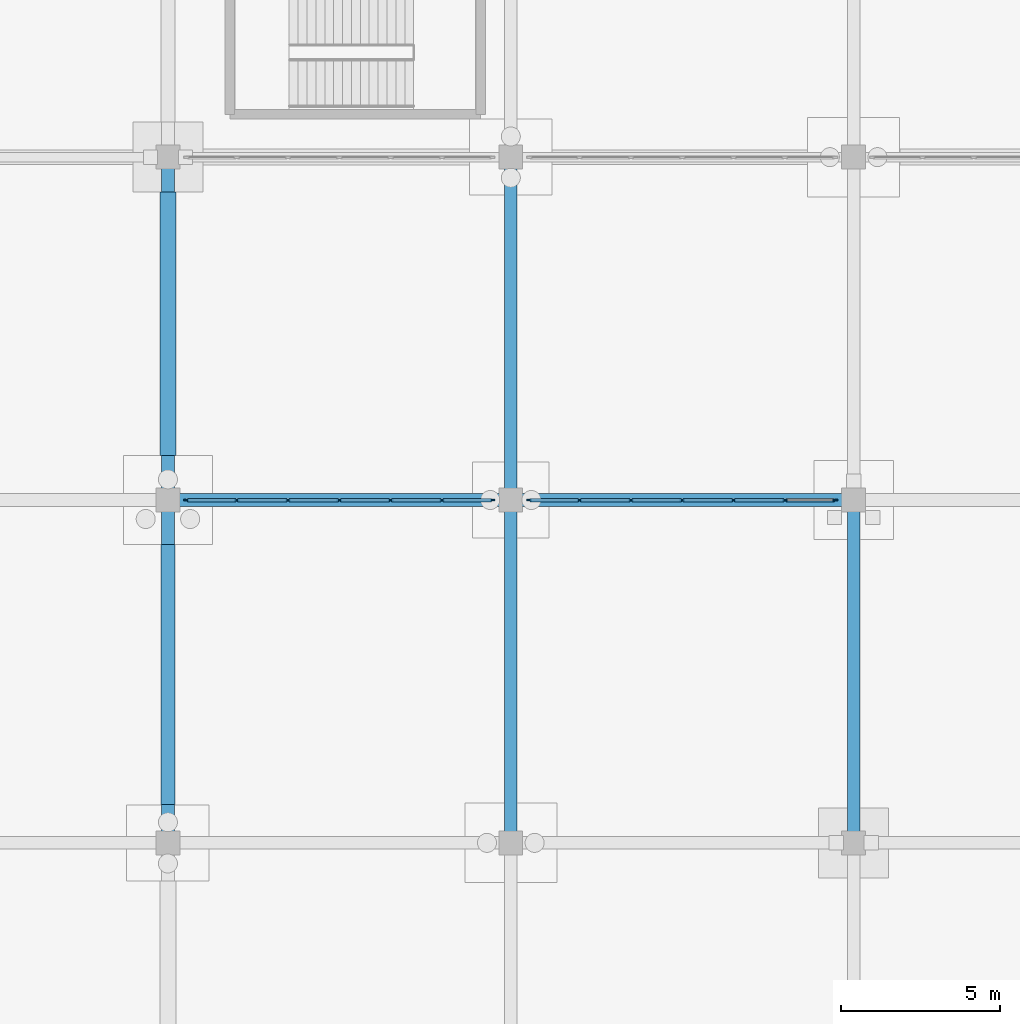
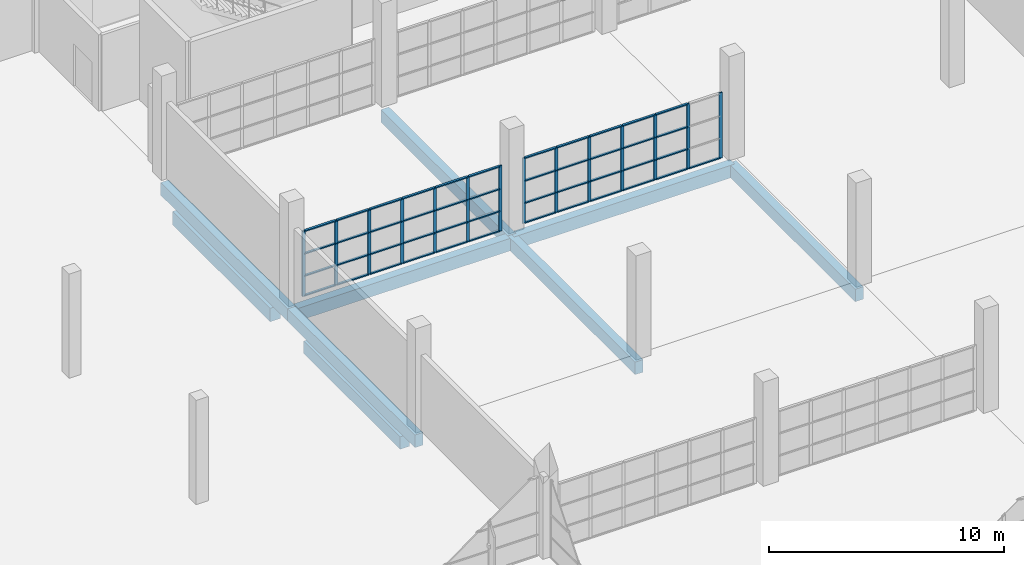
# One storey, part 51 of 138: 59 members, 9 beams, 2 elements without a shape of their own.
"""IFC4 building model written with IfcOpenShell, lengths in metres."""

from ifc_helpers import new_model, si_unit, direction, frame, origin, origin_2d, place, context, subcontext, project, spatial, rectangle, extrude, material, material_profile, profile_set, type_object, element, aggregate, save


model = new_model("IFC4")

# Units and contexts
model_context = context("Model", 3, precision=1e-05, world=origin(), true_north=direction((0.0, 1.0)))
body_context = subcontext(model_context, "Body", "Model", "MODEL_VIEW")
ifc_project = project(units=[si_unit("LENGTHUNIT", "METRE"), si_unit("AREAUNIT", "SQUARE_METRE"), si_unit("VOLUMEUNIT", "CUBIC_METRE"), si_unit("PLANEANGLEUNIT", "RADIAN"), si_unit("MASSUNIT", "GRAM", prefix="KILO")], contexts=[model_context])

# Site, building, storey
site_placement = place(None, origin())
site = spatial("IfcSite", under=ifc_project, at=site_placement, CompositionType="ELEMENT")
building_placement = place(site_placement, origin())
building = spatial("IfcBuilding", under=site, at=building_placement, Name="Zwinboog Wholesale Market", CompositionType="ELEMENT")
storey_placement = place(building_placement, origin())
storey = spatial("IfcBuildingStorey", under=building, at=storey_placement, Name="L00", CompositionType="ELEMENT", Elevation=0.0)

# Beams
ifc_material_1 = material(Name="Precast concrete C45/55", Category="concrete")
ifc_material_profile_1 = material_profile(ifc_material_1, rectangle(XDim=0.39990234375, YDim=0.64990234375, at=origin_2d()), Name="PC 400x650")
ifc_profile_set_1 = profile_set([ifc_material_profile_1], Name="Precast concrete C45/55")
beam_type_1 = type_object("IfcBeamType", Name="BT-05", PredefinedType="BEAM", material=ifc_profile_set_1)
beam_1_placement = place(storey_placement, frame((64.800048828125, 86.39990234375, -0.719970703125), z_axis=(1.0, 0.0, 0.0), x_axis=(0.0, 1.0, 0.0)))
element("IfcBeam", 1, at=beam_1_placement, inside=storey, type_object=beam_type_1, Name="BG-05 (BMG-L00-0648-0864-0121)", PredefinedType="BEAM", context=body_context, shape_type="SweptSolid", body=[
    extrude(rectangle(XDim=0.39990234375, YDim=0.64990234375, at=origin_2d()), origin(), (0.0, 0.0, 1.0), 10.800048828125),
])
for number, where, z_axis, x_axis, name in (
    (2, (75.60009765625, 86.39990234375, -0.719970703125), (1.0, 0.0, 0.0), (0.0, 1.0, 0.0), "BG-05 (BMG-L00-0756-0864-0122)"),
    (3, (64.800048828125, 75.60009765625, -0.719970703125), (0.0, 1.0, 0.0), (-1.0, 0.0, 0.0), "BG-05 (BMG-L00-0648-0756-0280)"),
):
    element("IfcBeam", number, at=place(storey_placement, frame(where, z_axis=z_axis, x_axis=x_axis)), inside=storey, type_object=beam_type_1, Name=name, PredefinedType="BEAM", context=body_context, shape_type="SweptSolid", body=[
        extrude(rectangle(XDim=0.39990234375, YDim=0.64990234375, at=origin_2d()), origin(), (0.0, 0.0, 1.0), 10.7998046875),
    ])
beam_2_placement = place(storey_placement, frame((64.800048828125, 86.39990234375, -0.719970703125), z_axis=(0.0, 1.0, 0.0), x_axis=(-1.0, 0.0, 0.0)))
element("IfcBeam", 4, at=beam_2_placement, inside=storey, type_object=beam_type_1, Name="BG-05 (BMG-L00-0648-0864-0281)", PredefinedType="BEAM", context=body_context, shape_type="SweptSolid", body=[
    extrude(rectangle(XDim=0.39990234375, YDim=0.64990234375, at=origin_2d()), origin(), (0.0, 0.0, 1.0), 10.800048828125),
])
beam_3_placement = place(storey_placement, frame((75.60009765625, 75.60009765625, -0.719970703125), z_axis=(0.0, 1.0, 0.0), x_axis=(-1.0, 0.0, 0.0)))
element("IfcBeam", 5, at=beam_3_placement, inside=storey, type_object=beam_type_1, Name="BG-05 (BMG-L00-0756-0756-0288)", PredefinedType="BEAM", context=body_context, shape_type="SweptSolid", body=[
    extrude(rectangle(XDim=0.39990234375, YDim=0.64990234375, at=origin_2d()), origin(), (0.0, 0.0, 1.0), 10.7998046875),
])
beam_4_placement = place(storey_placement, frame((75.60009765625, 86.39990234375, -0.719970703125), z_axis=(0.0, 1.0, 0.0), x_axis=(-1.0, 0.0, 0.0)))
element("IfcBeam", 6, at=beam_4_placement, inside=storey, type_object=beam_type_1, Name="BG-05 (BMG-L00-0756-0864-0289)", PredefinedType="BEAM", context=body_context, shape_type="SweptSolid", body=[
    extrude(rectangle(XDim=0.39990234375, YDim=0.64990234375, at=origin_2d()), origin(), (0.0, 0.0, 1.0), 10.800048828125),
])
beam_5_placement = place(storey_placement, frame((86.39990234375, 75.60009765625, -0.719970703125), z_axis=(0.0, 1.0, 0.0), x_axis=(-1.0, 0.0, 0.0)))
element("IfcBeam", 7, at=beam_5_placement, inside=storey, type_object=beam_type_1, Name="BG-05 (BMG-L00-0864-0756-0296)", PredefinedType="BEAM", context=body_context, shape_type="SweptSolid", body=[
    extrude(rectangle(XDim=0.39990234375, YDim=0.64990234375, at=origin_2d()), origin(), (0.0, 0.0, 1.0), 10.7998046875),
])
ifc_material_2 = material(Name="Concrete C35/45", Category="concrete")
ifc_material_profile_2 = material_profile(ifc_material_2, rectangle(XDim=0.5, YDim=0.699951171875, at=origin_2d()), Name="RC 500x700")
ifc_profile_set_2 = profile_set([ifc_material_profile_2], Name="Concrete C35/45")
beam_type_2 = type_object("IfcBeamType", Name="BT-12", PredefinedType="USERDEFINED", material=ifc_profile_set_2)
beam_6_placement = place(storey_placement, frame((64.800048828125, 87.804931640625, -1.550048828125), z_axis=(0.0, 1.0, 0.0), x_axis=(-1.0, 0.0, 0.0)))
element("IfcBeam", 8, at=beam_6_placement, inside=storey, type_object=beam_type_2, Name="GB-01 (BM-GB-0156)", ObjectType="GROUND_BEAM", PredefinedType="USERDEFINED", context=body_context, shape_type="SweptSolid", body=[
    extrude(rectangle(XDim=0.5, YDim=0.699951171875, at=origin_2d()), origin(), (0.0, 0.0, 1.0), 8.2900390625),
])
ifc_material_profile_3 = material_profile(ifc_material_2, rectangle(XDim=0.449951171875, YDim=0.64990234375, at=origin_2d()), Name="RC 450x650")
ifc_profile_set_3 = profile_set([ifc_material_profile_3], Name="Concrete C35/45")
beam_type_3 = type_object("IfcBeamType", Name="BT-13", PredefinedType="USERDEFINED", material=ifc_profile_set_3)
beam_7_placement = place(storey_placement, frame((64.800048828125, 76.804931640625, -1.52490234375), z_axis=(0.0, 1.0, 0.0), x_axis=(-1.0, 0.0, 0.0)))
element("IfcBeam", 9, at=beam_7_placement, inside=storey, type_object=beam_type_3, Name="GB-02 (BM-GB-0155)", ObjectType="GROUND_BEAM", PredefinedType="USERDEFINED", context=body_context, shape_type="SweptSolid", body=[
    extrude(rectangle(XDim=0.449951171875, YDim=0.64990234375, at=origin_2d()), origin(), (0.0, 0.0, 1.0), 8.190185546875),
])

# Curtain wall, members
ifc_material_3 = material(Name="Aluminium thermally broken curtain wall", Category="aluminium")
curtain_wall_type = type_object("IfcCurtainWallType", Name="CWT-INT-STALL", PredefinedType="USERDEFINED", material=ifc_material_3)
curtain_wall_1_placement = place(storey_placement, origin())
curtain_wall_1 = element("IfcCurtainWall", 10, at=curtain_wall_1_placement, inside=storey, type_object=curtain_wall_type, Name="CW-07 (CW-STL-195)", ObjectType="STOREFRONT_GLAZING", PredefinedType="USERDEFINED")
ifc_material_4 = material(Name="Aluminium EN AW-6060", Category="aluminium")
ifc_material_profile_4 = material_profile(ifc_material_4, rectangle(XDim=0.06005859375, YDim=0.14990234375, at=origin_2d()), Name="AL 60x150")
ifc_profile_set_4 = profile_set([ifc_material_profile_4], Name="Aluminium EN AW-6060")
member_type_1 = type_object("IfcMemberType", Name="CWM-INT-60x120", PredefinedType="MULLION", material=ifc_profile_set_4)
member_1_placement = place(storey_placement, frame((65.3798828125, 86.39990234375, 0.0), z_axis=(0.0, 0.0, 1.0), x_axis=(0.0, 1.0, 0.0)))
member_1 = element("IfcMember", 11, at=member_1_placement, type_object=member_type_1, Name="CW-07 mullion 1", PredefinedType="MULLION", context=body_context, shape_type="SweptSolid", body=[
    extrude(rectangle(XDim=0.06005859375, YDim=0.14990234375, at=origin_2d()), origin(), (0.0, 0.0, 1.0), 3.39990234375),
])
member_2_placement = place(storey_placement, frame((66.966552734375, 86.39990234375, 0.0), z_axis=(0.0, 0.0, 1.0), x_axis=(0.0, 1.0, 0.0)))
member_2 = element("IfcMember", 12, at=member_2_placement, type_object=member_type_1, Name="CW-07 mullion 2", PredefinedType="MULLION", context=body_context, shape_type="SweptSolid", body=[
    extrude(rectangle(XDim=0.06005859375, YDim=0.14990234375, at=origin_2d()), origin(), (0.0, 0.0, 1.0), 3.39990234375),
])
member_3_placement = place(storey_placement, frame((68.583251953125, 86.39990234375, 0.0), z_axis=(0.0, 0.0, 1.0), x_axis=(0.0, 1.0, 0.0)))
member_3 = element("IfcMember", 13, at=member_3_placement, type_object=member_type_1, Name="CW-07 mullion 3", PredefinedType="MULLION", context=body_context, shape_type="SweptSolid", body=[
    extrude(rectangle(XDim=0.06005859375, YDim=0.14990234375, at=origin_2d()), origin(), (0.0, 0.0, 1.0), 3.39990234375),
])
member_4_placement = place(storey_placement, frame((70.199951171875, 86.39990234375, 0.0), z_axis=(0.0, 0.0, 1.0), x_axis=(0.0, 1.0, 0.0)))
member_4 = element("IfcMember", 14, at=member_4_placement, type_object=member_type_1, Name="CW-07 mullion 4", PredefinedType="MULLION", context=body_context, shape_type="SweptSolid", body=[
    extrude(rectangle(XDim=0.06005859375, YDim=0.14990234375, at=origin_2d()), origin(), (0.0, 0.0, 1.0), 3.39990234375),
])
member_5_placement = place(storey_placement, frame((71.816650390625, 86.39990234375, 0.0), z_axis=(0.0, 0.0, 1.0), x_axis=(0.0, 1.0, 0.0)))
member_5 = element("IfcMember", 15, at=member_5_placement, type_object=member_type_1, Name="CW-07 mullion 5", PredefinedType="MULLION", context=body_context, shape_type="SweptSolid", body=[
    extrude(rectangle(XDim=0.06005859375, YDim=0.14990234375, at=origin_2d()), origin(), (0.0, 0.0, 1.0), 3.39990234375),
])
member_6_placement = place(storey_placement, frame((73.433349609375, 86.39990234375, 0.0), z_axis=(0.0, 0.0, 1.0), x_axis=(0.0, 1.0, 0.0)))
member_6 = element("IfcMember", 16, at=member_6_placement, type_object=member_type_1, Name="CW-07 mullion 6", PredefinedType="MULLION", context=body_context, shape_type="SweptSolid", body=[
    extrude(rectangle(XDim=0.06005859375, YDim=0.14990234375, at=origin_2d()), origin(), (0.0, 0.0, 1.0), 3.39990234375),
])
member_7_placement = place(storey_placement, frame((75.02001953125, 86.39990234375, 0.0), z_axis=(0.0, 0.0, 1.0), x_axis=(0.0, 1.0, 0.0)))
member_7 = element("IfcMember", 17, at=member_7_placement, type_object=member_type_1, Name="CW-07 mullion 7", PredefinedType="MULLION", context=body_context, shape_type="SweptSolid", body=[
    extrude(rectangle(XDim=0.06005859375, YDim=0.14990234375, at=origin_2d()), origin(), (0.0, 0.0, 1.0), 3.39990234375),
])

curtain_wall_2_placement = place(storey_placement, origin())
curtain_wall_2 = element("IfcCurtainWall", 18, at=curtain_wall_2_placement, inside=storey, type_object=curtain_wall_type, Name="CW-07 (CW-STL-196)", ObjectType="STOREFRONT_GLAZING", PredefinedType="USERDEFINED")
member_8_placement = place(storey_placement, frame((76.179931640625, 86.39990234375, 0.0), z_axis=(0.0, 0.0, 1.0), x_axis=(0.0, 1.0, 0.0)))
member_8 = element("IfcMember", 19, at=member_8_placement, type_object=member_type_1, Name="CW-07 mullion 1", PredefinedType="MULLION", context=body_context, shape_type="SweptSolid", body=[
    extrude(rectangle(XDim=0.06005859375, YDim=0.14990234375, at=origin_2d()), origin(), (0.0, 0.0, 1.0), 3.39990234375),
])
member_9_placement = place(storey_placement, frame((77.7666015625, 86.39990234375, 0.0), z_axis=(0.0, 0.0, 1.0), x_axis=(0.0, 1.0, 0.0)))
member_9 = element("IfcMember", 20, at=member_9_placement, type_object=member_type_1, Name="CW-07 mullion 2", PredefinedType="MULLION", context=body_context, shape_type="SweptSolid", body=[
    extrude(rectangle(XDim=0.06005859375, YDim=0.14990234375, at=origin_2d()), origin(), (0.0, 0.0, 1.0), 3.39990234375),
])
member_10_placement = place(storey_placement, frame((79.38330078125, 86.39990234375, 0.0), z_axis=(0.0, 0.0, 1.0), x_axis=(0.0, 1.0, 0.0)))
member_10 = element("IfcMember", 21, at=member_10_placement, type_object=member_type_1, Name="CW-07 mullion 3", PredefinedType="MULLION", context=body_context, shape_type="SweptSolid", body=[
    extrude(rectangle(XDim=0.06005859375, YDim=0.14990234375, at=origin_2d()), origin(), (0.0, 0.0, 1.0), 3.39990234375),
])
member_11_placement = place(storey_placement, frame((81.0, 86.39990234375, 0.0), z_axis=(0.0, 0.0, 1.0), x_axis=(0.0, 1.0, 0.0)))
member_11 = element("IfcMember", 22, at=member_11_placement, type_object=member_type_1, Name="CW-07 mullion 4", PredefinedType="MULLION", context=body_context, shape_type="SweptSolid", body=[
    extrude(rectangle(XDim=0.06005859375, YDim=0.14990234375, at=origin_2d()), origin(), (0.0, 0.0, 1.0), 3.39990234375),
])
member_12_placement = place(storey_placement, frame((82.61669921875, 86.39990234375, 0.0), z_axis=(0.0, 0.0, 1.0), x_axis=(0.0, 1.0, 0.0)))
member_12 = element("IfcMember", 23, at=member_12_placement, type_object=member_type_1, Name="CW-07 mullion 5", PredefinedType="MULLION", context=body_context, shape_type="SweptSolid", body=[
    extrude(rectangle(XDim=0.06005859375, YDim=0.14990234375, at=origin_2d()), origin(), (0.0, 0.0, 1.0), 3.39990234375),
])
member_13_placement = place(storey_placement, frame((84.2333984375, 86.39990234375, 0.0), z_axis=(0.0, 0.0, 1.0), x_axis=(0.0, 1.0, 0.0)))
member_13 = element("IfcMember", 24, at=member_13_placement, type_object=member_type_1, Name="CW-07 mullion 6", PredefinedType="MULLION", context=body_context, shape_type="SweptSolid", body=[
    extrude(rectangle(XDim=0.06005859375, YDim=0.14990234375, at=origin_2d()), origin(), (0.0, 0.0, 1.0), 3.39990234375),
])
member_14_placement = place(storey_placement, frame((85.820068359375, 86.39990234375, 0.0), z_axis=(0.0, 0.0, 1.0), x_axis=(0.0, 1.0, 0.0)))
member_14 = element("IfcMember", 25, at=member_14_placement, type_object=member_type_1, Name="CW-07 mullion 7", PredefinedType="MULLION", context=body_context, shape_type="SweptSolid", body=[
    extrude(rectangle(XDim=0.06005859375, YDim=0.14990234375, at=origin_2d()), origin(), (0.0, 0.0, 1.0), 3.39990234375),
])

# Member
ifc_material_profile_5 = material_profile(ifc_material_4, rectangle(XDim=0.110107421875, YDim=0.06005859375, at=origin_2d()), Name="AL 60x110")
ifc_profile_set_5 = profile_set([ifc_material_profile_5], Name="Aluminium EN AW-6060")
member_type_2 = type_object("IfcMemberType", Name="CWT-INT-60x100", PredefinedType="USERDEFINED", material=ifc_profile_set_5)
member_15_placement = place(storey_placement, frame((65.409912109375, 86.39990234375, 0.030029296875), z_axis=(1.0, 0.0, 0.0), x_axis=(0.0, 1.0, 0.0)))
member_15 = element("IfcMember", 26, at=member_15_placement, type_object=member_type_2, Name="CW-07 transom 1.1", ObjectType="TRANSOM", PredefinedType="USERDEFINED", context=body_context, shape_type="SweptSolid", body=[
    extrude(rectangle(XDim=0.110107421875, YDim=0.06005859375, at=origin_2d()), origin(), (0.0, 0.0, 1.0), 1.52685546875),
])

member_16_placement = place(storey_placement, frame((65.409912109375, 86.39990234375, 1.050048828125), z_axis=(1.0, 0.0, 0.0), x_axis=(0.0, 1.0, 0.0)))
member_16 = element("IfcMember", 27, at=member_16_placement, type_object=member_type_2, Name="CW-07 transom 1.2", ObjectType="TRANSOM", PredefinedType="USERDEFINED", context=body_context, shape_type="SweptSolid", body=[
    extrude(rectangle(XDim=0.110107421875, YDim=0.06005859375, at=origin_2d()), origin(), (0.0, 0.0, 1.0), 1.52685546875),
])

member_17_placement = place(storey_placement, frame((65.409912109375, 86.39990234375, 2.199951171875), z_axis=(1.0, 0.0, 0.0), x_axis=(0.0, 1.0, 0.0)))
member_17 = element("IfcMember", 28, at=member_17_placement, type_object=member_type_2, Name="CW-07 transom 1.3", ObjectType="TRANSOM", PredefinedType="USERDEFINED", context=body_context, shape_type="SweptSolid", body=[
    extrude(rectangle(XDim=0.110107421875, YDim=0.06005859375, at=origin_2d()), origin(), (0.0, 0.0, 1.0), 1.52685546875),
])

member_18_placement = place(storey_placement, frame((65.409912109375, 86.39990234375, 3.3701171875), z_axis=(1.0, 0.0, 0.0), x_axis=(0.0, 1.0, 0.0)))
member_18 = element("IfcMember", 29, at=member_18_placement, type_object=member_type_2, Name="CW-07 transom 1.4", ObjectType="TRANSOM", PredefinedType="USERDEFINED", context=body_context, shape_type="SweptSolid", body=[
    extrude(rectangle(XDim=0.110107421875, YDim=0.06005859375, at=origin_2d()), origin(), (0.0, 0.0, 1.0), 1.52685546875),
])

member_19_placement = place(storey_placement, frame((66.99658203125, 86.39990234375, 0.030029296875), z_axis=(1.0, 0.0, 0.0), x_axis=(0.0, 1.0, 0.0)))
member_19 = element("IfcMember", 30, at=member_19_placement, type_object=member_type_2, Name="CW-07 transom 2.1", ObjectType="TRANSOM", PredefinedType="USERDEFINED", context=body_context, shape_type="SweptSolid", body=[
    extrude(rectangle(XDim=0.110107421875, YDim=0.06005859375, at=origin_2d()), origin(), (0.0, 0.0, 1.0), 1.556640625),
])

member_20_placement = place(storey_placement, frame((66.99658203125, 86.39990234375, 1.050048828125), z_axis=(1.0, 0.0, 0.0), x_axis=(0.0, 1.0, 0.0)))
member_20 = element("IfcMember", 31, at=member_20_placement, type_object=member_type_2, Name="CW-07 transom 2.2", ObjectType="TRANSOM", PredefinedType="USERDEFINED", context=body_context, shape_type="SweptSolid", body=[
    extrude(rectangle(XDim=0.110107421875, YDim=0.06005859375, at=origin_2d()), origin(), (0.0, 0.0, 1.0), 1.556640625),
])

member_21_placement = place(storey_placement, frame((66.99658203125, 86.39990234375, 2.199951171875), z_axis=(1.0, 0.0, 0.0), x_axis=(0.0, 1.0, 0.0)))
member_21 = element("IfcMember", 32, at=member_21_placement, type_object=member_type_2, Name="CW-07 transom 2.3", ObjectType="TRANSOM", PredefinedType="USERDEFINED", context=body_context, shape_type="SweptSolid", body=[
    extrude(rectangle(XDim=0.110107421875, YDim=0.06005859375, at=origin_2d()), origin(), (0.0, 0.0, 1.0), 1.556640625),
])

member_22_placement = place(storey_placement, frame((66.99658203125, 86.39990234375, 3.3701171875), z_axis=(1.0, 0.0, 0.0), x_axis=(0.0, 1.0, 0.0)))
member_22 = element("IfcMember", 33, at=member_22_placement, type_object=member_type_2, Name="CW-07 transom 2.4", ObjectType="TRANSOM", PredefinedType="USERDEFINED", context=body_context, shape_type="SweptSolid", body=[
    extrude(rectangle(XDim=0.110107421875, YDim=0.06005859375, at=origin_2d()), origin(), (0.0, 0.0, 1.0), 1.556640625),
])

member_23_placement = place(storey_placement, frame((68.61328125, 86.39990234375, 0.030029296875), z_axis=(1.0, 0.0, 0.0), x_axis=(0.0, 1.0, 0.0)))
member_23 = element("IfcMember", 34, at=member_23_placement, type_object=member_type_2, Name="CW-07 transom 3.1", ObjectType="TRANSOM", PredefinedType="USERDEFINED", context=body_context, shape_type="SweptSolid", body=[
    extrude(rectangle(XDim=0.110107421875, YDim=0.06005859375, at=origin_2d()), origin(), (0.0, 0.0, 1.0), 1.556640625),
])

member_24_placement = place(storey_placement, frame((68.61328125, 86.39990234375, 1.050048828125), z_axis=(1.0, 0.0, 0.0), x_axis=(0.0, 1.0, 0.0)))
member_24 = element("IfcMember", 35, at=member_24_placement, type_object=member_type_2, Name="CW-07 transom 3.2", ObjectType="TRANSOM", PredefinedType="USERDEFINED", context=body_context, shape_type="SweptSolid", body=[
    extrude(rectangle(XDim=0.110107421875, YDim=0.06005859375, at=origin_2d()), origin(), (0.0, 0.0, 1.0), 1.556640625),
])

member_25_placement = place(storey_placement, frame((68.61328125, 86.39990234375, 2.199951171875), z_axis=(1.0, 0.0, 0.0), x_axis=(0.0, 1.0, 0.0)))
member_25 = element("IfcMember", 36, at=member_25_placement, type_object=member_type_2, Name="CW-07 transom 3.3", ObjectType="TRANSOM", PredefinedType="USERDEFINED", context=body_context, shape_type="SweptSolid", body=[
    extrude(rectangle(XDim=0.110107421875, YDim=0.06005859375, at=origin_2d()), origin(), (0.0, 0.0, 1.0), 1.556640625),
])

member_26_placement = place(storey_placement, frame((68.61328125, 86.39990234375, 3.3701171875), z_axis=(1.0, 0.0, 0.0), x_axis=(0.0, 1.0, 0.0)))
member_26 = element("IfcMember", 37, at=member_26_placement, type_object=member_type_2, Name="CW-07 transom 3.4", ObjectType="TRANSOM", PredefinedType="USERDEFINED", context=body_context, shape_type="SweptSolid", body=[
    extrude(rectangle(XDim=0.110107421875, YDim=0.06005859375, at=origin_2d()), origin(), (0.0, 0.0, 1.0), 1.556640625),
])

member_27_placement = place(storey_placement, frame((70.22998046875, 86.39990234375, 0.030029296875), z_axis=(1.0, 0.0, 0.0), x_axis=(0.0, 1.0, 0.0)))
member_27 = element("IfcMember", 38, at=member_27_placement, type_object=member_type_2, Name="CW-07 transom 4.1", ObjectType="TRANSOM", PredefinedType="USERDEFINED", context=body_context, shape_type="SweptSolid", body=[
    extrude(rectangle(XDim=0.110107421875, YDim=0.06005859375, at=origin_2d()), origin(), (0.0, 0.0, 1.0), 1.556640625),
])

member_28_placement = place(storey_placement, frame((70.22998046875, 86.39990234375, 1.050048828125), z_axis=(1.0, 0.0, 0.0), x_axis=(0.0, 1.0, 0.0)))
member_28 = element("IfcMember", 39, at=member_28_placement, type_object=member_type_2, Name="CW-07 transom 4.2", ObjectType="TRANSOM", PredefinedType="USERDEFINED", context=body_context, shape_type="SweptSolid", body=[
    extrude(rectangle(XDim=0.110107421875, YDim=0.06005859375, at=origin_2d()), origin(), (0.0, 0.0, 1.0), 1.556640625),
])

member_29_placement = place(storey_placement, frame((70.22998046875, 86.39990234375, 2.199951171875), z_axis=(1.0, 0.0, 0.0), x_axis=(0.0, 1.0, 0.0)))
member_29 = element("IfcMember", 40, at=member_29_placement, type_object=member_type_2, Name="CW-07 transom 4.3", ObjectType="TRANSOM", PredefinedType="USERDEFINED", context=body_context, shape_type="SweptSolid", body=[
    extrude(rectangle(XDim=0.110107421875, YDim=0.06005859375, at=origin_2d()), origin(), (0.0, 0.0, 1.0), 1.556640625),
])

member_30_placement = place(storey_placement, frame((70.22998046875, 86.39990234375, 3.3701171875), z_axis=(1.0, 0.0, 0.0), x_axis=(0.0, 1.0, 0.0)))
member_30 = element("IfcMember", 41, at=member_30_placement, type_object=member_type_2, Name="CW-07 transom 4.4", ObjectType="TRANSOM", PredefinedType="USERDEFINED", context=body_context, shape_type="SweptSolid", body=[
    extrude(rectangle(XDim=0.110107421875, YDim=0.06005859375, at=origin_2d()), origin(), (0.0, 0.0, 1.0), 1.556640625),
])

member_31_placement = place(storey_placement, frame((71.8466796875, 86.39990234375, 0.030029296875), z_axis=(1.0, 0.0, 0.0), x_axis=(0.0, 1.0, 0.0)))
member_31 = element("IfcMember", 42, at=member_31_placement, type_object=member_type_2, Name="CW-07 transom 5.1", ObjectType="TRANSOM", PredefinedType="USERDEFINED", context=body_context, shape_type="SweptSolid", body=[
    extrude(rectangle(XDim=0.110107421875, YDim=0.06005859375, at=origin_2d()), origin(), (0.0, 0.0, 1.0), 1.556640625),
])

member_32_placement = place(storey_placement, frame((71.8466796875, 86.39990234375, 1.050048828125), z_axis=(1.0, 0.0, 0.0), x_axis=(0.0, 1.0, 0.0)))
member_32 = element("IfcMember", 43, at=member_32_placement, type_object=member_type_2, Name="CW-07 transom 5.2", ObjectType="TRANSOM", PredefinedType="USERDEFINED", context=body_context, shape_type="SweptSolid", body=[
    extrude(rectangle(XDim=0.110107421875, YDim=0.06005859375, at=origin_2d()), origin(), (0.0, 0.0, 1.0), 1.556640625),
])

member_33_placement = place(storey_placement, frame((71.8466796875, 86.39990234375, 2.199951171875), z_axis=(1.0, 0.0, 0.0), x_axis=(0.0, 1.0, 0.0)))
member_33 = element("IfcMember", 44, at=member_33_placement, type_object=member_type_2, Name="CW-07 transom 5.3", ObjectType="TRANSOM", PredefinedType="USERDEFINED", context=body_context, shape_type="SweptSolid", body=[
    extrude(rectangle(XDim=0.110107421875, YDim=0.06005859375, at=origin_2d()), origin(), (0.0, 0.0, 1.0), 1.556640625),
])

member_34_placement = place(storey_placement, frame((71.8466796875, 86.39990234375, 3.3701171875), z_axis=(1.0, 0.0, 0.0), x_axis=(0.0, 1.0, 0.0)))
member_34 = element("IfcMember", 45, at=member_34_placement, type_object=member_type_2, Name="CW-07 transom 5.4", ObjectType="TRANSOM", PredefinedType="USERDEFINED", context=body_context, shape_type="SweptSolid", body=[
    extrude(rectangle(XDim=0.110107421875, YDim=0.06005859375, at=origin_2d()), origin(), (0.0, 0.0, 1.0), 1.556640625),
])

member_35_placement = place(storey_placement, frame((73.46337890625, 86.39990234375, 0.030029296875), z_axis=(1.0, 0.0, 0.0), x_axis=(0.0, 1.0, 0.0)))
member_35 = element("IfcMember", 46, at=member_35_placement, type_object=member_type_2, Name="CW-07 transom 6.1", ObjectType="TRANSOM", PredefinedType="USERDEFINED", context=body_context, shape_type="SweptSolid", body=[
    extrude(rectangle(XDim=0.110107421875, YDim=0.06005859375, at=origin_2d()), origin(), (0.0, 0.0, 1.0), 1.526611328125),
])

member_36_placement = place(storey_placement, frame((73.46337890625, 86.39990234375, 1.050048828125), z_axis=(1.0, 0.0, 0.0), x_axis=(0.0, 1.0, 0.0)))
member_36 = element("IfcMember", 47, at=member_36_placement, type_object=member_type_2, Name="CW-07 transom 6.2", ObjectType="TRANSOM", PredefinedType="USERDEFINED", context=body_context, shape_type="SweptSolid", body=[
    extrude(rectangle(XDim=0.110107421875, YDim=0.06005859375, at=origin_2d()), origin(), (0.0, 0.0, 1.0), 1.526611328125),
])

member_37_placement = place(storey_placement, frame((73.46337890625, 86.39990234375, 2.199951171875), z_axis=(1.0, 0.0, 0.0), x_axis=(0.0, 1.0, 0.0)))
member_37 = element("IfcMember", 48, at=member_37_placement, type_object=member_type_2, Name="CW-07 transom 6.3", ObjectType="TRANSOM", PredefinedType="USERDEFINED", context=body_context, shape_type="SweptSolid", body=[
    extrude(rectangle(XDim=0.110107421875, YDim=0.06005859375, at=origin_2d()), origin(), (0.0, 0.0, 1.0), 1.526611328125),
])

member_38_placement = place(storey_placement, frame((73.46337890625, 86.39990234375, 3.3701171875), z_axis=(1.0, 0.0, 0.0), x_axis=(0.0, 1.0, 0.0)))
member_38 = element("IfcMember", 49, at=member_38_placement, type_object=member_type_2, Name="CW-07 transom 6.4", ObjectType="TRANSOM", PredefinedType="USERDEFINED", context=body_context, shape_type="SweptSolid", body=[
    extrude(rectangle(XDim=0.110107421875, YDim=0.06005859375, at=origin_2d()), origin(), (0.0, 0.0, 1.0), 1.526611328125),
])

aggregate(curtain_wall_1, [member_1, member_2, member_3, member_4, member_5, member_6, member_7, member_15, member_16, member_17, member_18, member_19, member_20, member_21, member_22, member_23, member_24, member_25, member_26, member_27, member_28, member_29, member_30, member_31, member_32, member_33, member_34, member_35, member_36, member_37, member_38])

member_39_placement = place(storey_placement, frame((76.2099609375, 86.39990234375, 0.030029296875), z_axis=(1.0, 0.0, 0.0), x_axis=(0.0, 1.0, 0.0)))
member_39 = element("IfcMember", 50, at=member_39_placement, type_object=member_type_2, Name="CW-07 transom 1.1", ObjectType="TRANSOM", PredefinedType="USERDEFINED", context=body_context, shape_type="SweptSolid", body=[
    extrude(rectangle(XDim=0.110107421875, YDim=0.06005859375, at=origin_2d()), origin(), (0.0, 0.0, 1.0), 1.526611328125),
])

member_40_placement = place(storey_placement, frame((76.2099609375, 86.39990234375, 1.050048828125), z_axis=(1.0, 0.0, 0.0), x_axis=(0.0, 1.0, 0.0)))
member_40 = element("IfcMember", 51, at=member_40_placement, type_object=member_type_2, Name="CW-07 transom 1.2", ObjectType="TRANSOM", PredefinedType="USERDEFINED", context=body_context, shape_type="SweptSolid", body=[
    extrude(rectangle(XDim=0.110107421875, YDim=0.06005859375, at=origin_2d()), origin(), (0.0, 0.0, 1.0), 1.526611328125),
])

member_41_placement = place(storey_placement, frame((76.2099609375, 86.39990234375, 2.199951171875), z_axis=(1.0, 0.0, 0.0), x_axis=(0.0, 1.0, 0.0)))
member_41 = element("IfcMember", 52, at=member_41_placement, type_object=member_type_2, Name="CW-07 transom 1.3", ObjectType="TRANSOM", PredefinedType="USERDEFINED", context=body_context, shape_type="SweptSolid", body=[
    extrude(rectangle(XDim=0.110107421875, YDim=0.06005859375, at=origin_2d()), origin(), (0.0, 0.0, 1.0), 1.526611328125),
])

member_42_placement = place(storey_placement, frame((76.2099609375, 86.39990234375, 3.3701171875), z_axis=(1.0, 0.0, 0.0), x_axis=(0.0, 1.0, 0.0)))
member_42 = element("IfcMember", 53, at=member_42_placement, type_object=member_type_2, Name="CW-07 transom 1.4", ObjectType="TRANSOM", PredefinedType="USERDEFINED", context=body_context, shape_type="SweptSolid", body=[
    extrude(rectangle(XDim=0.110107421875, YDim=0.06005859375, at=origin_2d()), origin(), (0.0, 0.0, 1.0), 1.526611328125),
])

member_43_placement = place(storey_placement, frame((77.796630859375, 86.39990234375, 0.030029296875), z_axis=(1.0, 0.0, 0.0), x_axis=(0.0, 1.0, 0.0)))
member_43 = element("IfcMember", 54, at=member_43_placement, type_object=member_type_2, Name="CW-07 transom 2.1", ObjectType="TRANSOM", PredefinedType="USERDEFINED", context=body_context, shape_type="SweptSolid", body=[
    extrude(rectangle(XDim=0.110107421875, YDim=0.06005859375, at=origin_2d()), origin(), (0.0, 0.0, 1.0), 1.556640625),
])

member_44_placement = place(storey_placement, frame((77.796630859375, 86.39990234375, 1.050048828125), z_axis=(1.0, 0.0, 0.0), x_axis=(0.0, 1.0, 0.0)))
member_44 = element("IfcMember", 55, at=member_44_placement, type_object=member_type_2, Name="CW-07 transom 2.2", ObjectType="TRANSOM", PredefinedType="USERDEFINED", context=body_context, shape_type="SweptSolid", body=[
    extrude(rectangle(XDim=0.110107421875, YDim=0.06005859375, at=origin_2d()), origin(), (0.0, 0.0, 1.0), 1.556640625),
])

member_45_placement = place(storey_placement, frame((77.796630859375, 86.39990234375, 2.199951171875), z_axis=(1.0, 0.0, 0.0), x_axis=(0.0, 1.0, 0.0)))
member_45 = element("IfcMember", 56, at=member_45_placement, type_object=member_type_2, Name="CW-07 transom 2.3", ObjectType="TRANSOM", PredefinedType="USERDEFINED", context=body_context, shape_type="SweptSolid", body=[
    extrude(rectangle(XDim=0.110107421875, YDim=0.06005859375, at=origin_2d()), origin(), (0.0, 0.0, 1.0), 1.556640625),
])

member_46_placement = place(storey_placement, frame((77.796630859375, 86.39990234375, 3.3701171875), z_axis=(1.0, 0.0, 0.0), x_axis=(0.0, 1.0, 0.0)))
member_46 = element("IfcMember", 57, at=member_46_placement, type_object=member_type_2, Name="CW-07 transom 2.4", ObjectType="TRANSOM", PredefinedType="USERDEFINED", context=body_context, shape_type="SweptSolid", body=[
    extrude(rectangle(XDim=0.110107421875, YDim=0.06005859375, at=origin_2d()), origin(), (0.0, 0.0, 1.0), 1.556640625),
])

member_47_placement = place(storey_placement, frame((79.413330078125, 86.39990234375, 0.030029296875), z_axis=(1.0, 0.0, 0.0), x_axis=(0.0, 1.0, 0.0)))
member_47 = element("IfcMember", 58, at=member_47_placement, type_object=member_type_2, Name="CW-07 transom 3.1", ObjectType="TRANSOM", PredefinedType="USERDEFINED", context=body_context, shape_type="SweptSolid", body=[
    extrude(rectangle(XDim=0.110107421875, YDim=0.06005859375, at=origin_2d()), origin(), (0.0, 0.0, 1.0), 1.556640625),
])

member_48_placement = place(storey_placement, frame((79.413330078125, 86.39990234375, 1.050048828125), z_axis=(1.0, 0.0, 0.0), x_axis=(0.0, 1.0, 0.0)))
member_48 = element("IfcMember", 59, at=member_48_placement, type_object=member_type_2, Name="CW-07 transom 3.2", ObjectType="TRANSOM", PredefinedType="USERDEFINED", context=body_context, shape_type="SweptSolid", body=[
    extrude(rectangle(XDim=0.110107421875, YDim=0.06005859375, at=origin_2d()), origin(), (0.0, 0.0, 1.0), 1.556640625),
])

member_49_placement = place(storey_placement, frame((79.413330078125, 86.39990234375, 2.199951171875), z_axis=(1.0, 0.0, 0.0), x_axis=(0.0, 1.0, 0.0)))
member_49 = element("IfcMember", 60, at=member_49_placement, type_object=member_type_2, Name="CW-07 transom 3.3", ObjectType="TRANSOM", PredefinedType="USERDEFINED", context=body_context, shape_type="SweptSolid", body=[
    extrude(rectangle(XDim=0.110107421875, YDim=0.06005859375, at=origin_2d()), origin(), (0.0, 0.0, 1.0), 1.556640625),
])

member_50_placement = place(storey_placement, frame((79.413330078125, 86.39990234375, 3.3701171875), z_axis=(1.0, 0.0, 0.0), x_axis=(0.0, 1.0, 0.0)))
member_50 = element("IfcMember", 61, at=member_50_placement, type_object=member_type_2, Name="CW-07 transom 3.4", ObjectType="TRANSOM", PredefinedType="USERDEFINED", context=body_context, shape_type="SweptSolid", body=[
    extrude(rectangle(XDim=0.110107421875, YDim=0.06005859375, at=origin_2d()), origin(), (0.0, 0.0, 1.0), 1.556640625),
])

member_51_placement = place(storey_placement, frame((81.030029296875, 86.39990234375, 0.030029296875), z_axis=(1.0, 0.0, 0.0), x_axis=(0.0, 1.0, 0.0)))
member_51 = element("IfcMember", 62, at=member_51_placement, type_object=member_type_2, Name="CW-07 transom 4.1", ObjectType="TRANSOM", PredefinedType="USERDEFINED", context=body_context, shape_type="SweptSolid", body=[
    extrude(rectangle(XDim=0.110107421875, YDim=0.06005859375, at=origin_2d()), origin(), (0.0, 0.0, 1.0), 1.556640625),
])

member_52_placement = place(storey_placement, frame((81.030029296875, 86.39990234375, 1.050048828125), z_axis=(1.0, 0.0, 0.0), x_axis=(0.0, 1.0, 0.0)))
member_52 = element("IfcMember", 63, at=member_52_placement, type_object=member_type_2, Name="CW-07 transom 4.2", ObjectType="TRANSOM", PredefinedType="USERDEFINED", context=body_context, shape_type="SweptSolid", body=[
    extrude(rectangle(XDim=0.110107421875, YDim=0.06005859375, at=origin_2d()), origin(), (0.0, 0.0, 1.0), 1.556640625),
])

member_53_placement = place(storey_placement, frame((81.030029296875, 86.39990234375, 2.199951171875), z_axis=(1.0, 0.0, 0.0), x_axis=(0.0, 1.0, 0.0)))
member_53 = element("IfcMember", 64, at=member_53_placement, type_object=member_type_2, Name="CW-07 transom 4.3", ObjectType="TRANSOM", PredefinedType="USERDEFINED", context=body_context, shape_type="SweptSolid", body=[
    extrude(rectangle(XDim=0.110107421875, YDim=0.06005859375, at=origin_2d()), origin(), (0.0, 0.0, 1.0), 1.556640625),
])

member_54_placement = place(storey_placement, frame((81.030029296875, 86.39990234375, 3.3701171875), z_axis=(1.0, 0.0, 0.0), x_axis=(0.0, 1.0, 0.0)))
member_54 = element("IfcMember", 65, at=member_54_placement, type_object=member_type_2, Name="CW-07 transom 4.4", ObjectType="TRANSOM", PredefinedType="USERDEFINED", context=body_context, shape_type="SweptSolid", body=[
    extrude(rectangle(XDim=0.110107421875, YDim=0.06005859375, at=origin_2d()), origin(), (0.0, 0.0, 1.0), 1.556640625),
])

member_55_placement = place(storey_placement, frame((82.646728515625, 86.39990234375, 0.030029296875), z_axis=(1.0, 0.0, 0.0), x_axis=(0.0, 1.0, 0.0)))
member_55 = element("IfcMember", 66, at=member_55_placement, type_object=member_type_2, Name="CW-07 transom 5.1", ObjectType="TRANSOM", PredefinedType="USERDEFINED", context=body_context, shape_type="SweptSolid", body=[
    extrude(rectangle(XDim=0.110107421875, YDim=0.06005859375, at=origin_2d()), origin(), (0.0, 0.0, 1.0), 1.556640625),
])

member_56_placement = place(storey_placement, frame((82.646728515625, 86.39990234375, 1.050048828125), z_axis=(1.0, 0.0, 0.0), x_axis=(0.0, 1.0, 0.0)))
member_56 = element("IfcMember", 67, at=member_56_placement, type_object=member_type_2, Name="CW-07 transom 5.2", ObjectType="TRANSOM", PredefinedType="USERDEFINED", context=body_context, shape_type="SweptSolid", body=[
    extrude(rectangle(XDim=0.110107421875, YDim=0.06005859375, at=origin_2d()), origin(), (0.0, 0.0, 1.0), 1.556640625),
])

member_57_placement = place(storey_placement, frame((82.646728515625, 86.39990234375, 2.199951171875), z_axis=(1.0, 0.0, 0.0), x_axis=(0.0, 1.0, 0.0)))
member_57 = element("IfcMember", 68, at=member_57_placement, type_object=member_type_2, Name="CW-07 transom 5.3", ObjectType="TRANSOM", PredefinedType="USERDEFINED", context=body_context, shape_type="SweptSolid", body=[
    extrude(rectangle(XDim=0.110107421875, YDim=0.06005859375, at=origin_2d()), origin(), (0.0, 0.0, 1.0), 1.556640625),
])

member_58_placement = place(storey_placement, frame((82.646728515625, 86.39990234375, 3.3701171875), z_axis=(1.0, 0.0, 0.0), x_axis=(0.0, 1.0, 0.0)))
member_58 = element("IfcMember", 69, at=member_58_placement, type_object=member_type_2, Name="CW-07 transom 5.4", ObjectType="TRANSOM", PredefinedType="USERDEFINED", context=body_context, shape_type="SweptSolid", body=[
    extrude(rectangle(XDim=0.110107421875, YDim=0.06005859375, at=origin_2d()), origin(), (0.0, 0.0, 1.0), 1.556640625),
])

member_59_placement = place(storey_placement, frame((84.263427734375, 86.39990234375, 0.030029296875), z_axis=(1.0, 0.0, 0.0), x_axis=(0.0, 1.0, 0.0)))
member_59 = element("IfcMember", 70, at=member_59_placement, type_object=member_type_2, Name="CW-07 transom 6.1", ObjectType="TRANSOM", PredefinedType="USERDEFINED", context=body_context, shape_type="SweptSolid", body=[
    extrude(rectangle(XDim=0.110107421875, YDim=0.06005859375, at=origin_2d()), origin(), (0.0, 0.0, 1.0), 1.526611328125),
])

aggregate(curtain_wall_2, [member_8, member_9, member_10, member_11, member_12, member_13, member_14, member_39, member_40, member_41, member_42, member_43, member_44, member_45, member_46, member_47, member_48, member_49, member_50, member_51, member_52, member_53, member_54, member_55, member_56, member_57, member_58, member_59])

save(model, "model.ifc")
